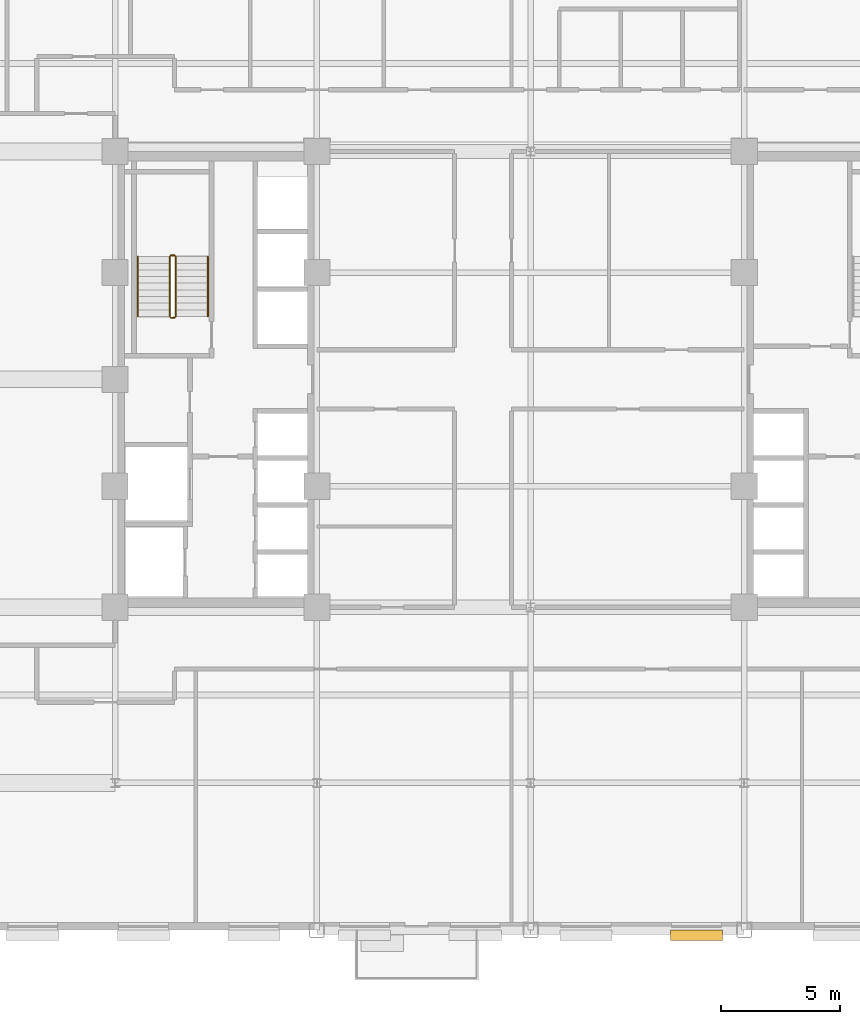
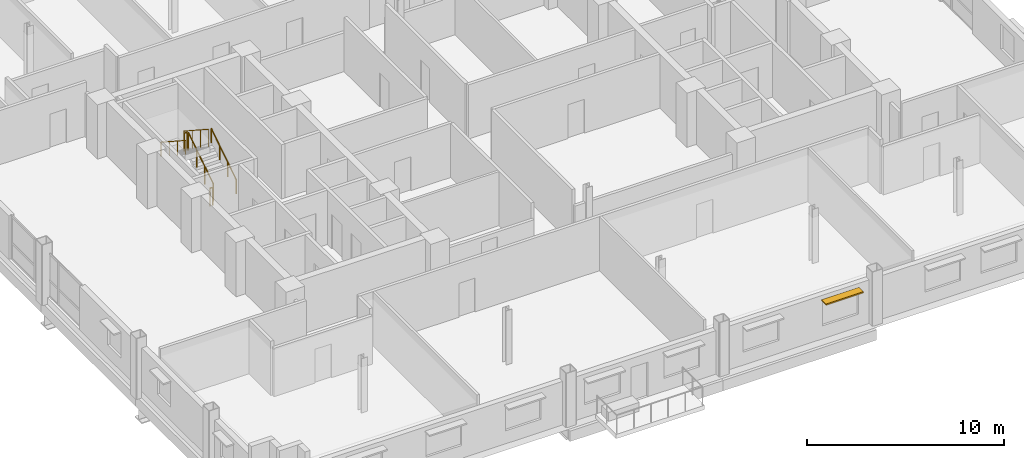
# One storey, part 14 of 16: 6 railings, 1 shading device.
"""IFC4 building model written with IfcOpenShell, lengths in metres."""

from ifc_helpers import new_model, si_unit, direction, frame, origin, origin_2d, place, context, subcontext, project, spatial, rectangle, circle, extrude, source, transform, mapped, material, type_object, type_shapes, element, save


model = new_model("IFC4")

# Units and contexts
model_context = context("Model", 3, precision=1e-05, world=origin(), true_north=direction((0.0, 1.0)))
body_context = subcontext(model_context, "Body", "Model", "MODEL_VIEW")
ifc_project = project(units=[si_unit("LENGTHUNIT", "METRE"), si_unit("AREAUNIT", "SQUARE_METRE"), si_unit("VOLUMEUNIT", "CUBIC_METRE"), si_unit("PLANEANGLEUNIT", "RADIAN"), si_unit("MASSUNIT", "GRAM", prefix="KILO")], contexts=[model_context])

# Site, building, storey
site_placement = place(None, origin())
site = spatial("IfcSite", under=ifc_project, at=site_placement, CompositionType="ELEMENT")
building_placement = place(site_placement, origin())
building = spatial("IfcBuilding", under=site, at=building_placement, Name="Nuvemarco Arch Tower", CompositionType="ELEMENT")
storey_placement = place(building_placement, frame((0.0, 0.0, 116.550048828125)))
storey = spatial("IfcBuildingStorey", under=building, at=storey_placement, Name="L30", CompositionType="ELEMENT", Elevation=116.550048828125)

# Railings
ifc_material_1 = material(Name="Brushed stainless steel handrail", Category="steel")
railing_type_1 = type_object("IfcRailingType", Name="RL-HANDRAIL-900", PredefinedType="HANDRAIL", material=ifc_material_1)
railing_1_placement = place(storey_placement, frame((-13.590087890625, 2.64990234375, 0.182373046875)))
element("IfcRailing", 1, at=railing_1_placement, inside=storey, type_object=railing_type_1, Name="L30 ST-1 stair handrail 1", PredefinedType="HANDRAIL", context=body_context, shape_type="SweptSolid", body=[
    extrude(circle(Radius=0.02392578125, at=origin_2d()), frame((0.0, 0.0, 0.8759765625), z_axis=(0.0, 0.837749427056, 0.546054848405), x_axis=(-1.0, 0.0, 0.0)), (0.0, 0.0, 1.0), 3.008056640625),
    extrude(circle(Radius=0.02099609375, at=origin_2d()), origin(), (0.0, 0.0, 1.0), 0.851806640625),
    extrude(circle(Radius=0.02099609375, at=origin_2d()), frame((0.0, 0.840087890625, 0.547607421875)), (0.0, 0.0, 1.0), 0.851806640625),
    extrude(circle(Radius=0.02099609375, at=origin_2d()), frame((0.0, 1.679931640625, 1.094970703125)), (0.0, 0.0, 1.0), 0.851806640625),
    extrude(circle(Radius=0.02099609375, at=origin_2d()), frame((0.0, 2.52001953125, 1.642578125)), (0.0, 0.0, 1.0), 0.851806640625),
])
railing_2_placement = place(storey_placement, frame((-16.550048828125, 5.169921875, 2.007568359375)))
element("IfcRailing", 2, at=railing_2_placement, inside=storey, type_object=railing_type_1, Name="L30 ST-1 stair handrail 2", PredefinedType="HANDRAIL", context=body_context, shape_type="SweptSolid", body=[
    extrude(circle(Radius=0.02392578125, at=origin_2d()), frame((0.0, 0.0, 0.8759765625), z_axis=(0.0, -0.837786554691, 0.545997883492), x_axis=(1.0, 0.0, 0.0)), (0.0, 0.0, 1.0), 3.008056640625),
    extrude(circle(Radius=0.02099609375, at=origin_2d()), origin(), (0.0, 0.0, 1.0), 0.851806640625),
    extrude(circle(Radius=0.02099609375, at=origin_2d()), frame((0.0, -0.840087890625, 0.54736328125)), (0.0, 0.0, 1.0), 0.851806640625),
    extrude(circle(Radius=0.02099609375, at=origin_2d()), frame((0.0, -1.679931640625, 1.094970703125)), (0.0, 0.0, 1.0), 0.851806640625),
    extrude(circle(Radius=0.02099609375, at=origin_2d()), frame((0.0, -2.52001953125, 1.642333984375)), (0.0, 0.0, 1.0), 0.851806640625),
])
ifc_material_2 = material(Name="Painted balustrade steel S355", Category="steel")
railing_type_2 = type_object("IfcRailingType", Name="RL-STAIR-GUARD", PredefinedType="GUARDRAIL", material=ifc_material_2)
railing_3_placement = place(storey_placement, frame((-14.93994140625, 2.64990234375, 0.182373046875)))
element("IfcRailing", 3, at=railing_3_placement, inside=storey, type_object=railing_type_2, Name="L30 ST-1 stair guard 1", PredefinedType="GUARDRAIL", context=body_context, shape_type="SweptSolid", body=[
    extrude(circle(Radius=0.02392578125, at=origin_2d()), frame((0.0, 0.0, 1.09619140625), z_axis=(0.0, 0.837749427056, 0.546054848405), x_axis=(-1.0, 0.0, 0.0)), (0.0, 0.0, 1.0), 3.008056640625),
    extrude(circle(Radius=0.02099609375, at=origin_2d()), origin(), (0.0, 0.0, 1.0), 1.072021484375),
    extrude(circle(Radius=0.02099609375, at=origin_2d()), frame((0.0, 0.840087890625, 0.547607421875)), (0.0, 0.0, 1.0), 1.072021484375),
    extrude(circle(Radius=0.02099609375, at=origin_2d()), frame((0.0, 1.679931640625, 1.094970703125)), (0.0, 0.0, 1.0), 1.072021484375),
    extrude(circle(Radius=0.02099609375, at=origin_2d()), frame((0.0, 2.52001953125, 1.642578125)), (0.0, 0.0, 1.0), 1.072021484375),
])
railing_4_placement = place(storey_placement, frame((-14.989990234375, 5.219970703125, 1.824951171875)))
element("IfcRailing", 4, at=railing_4_placement, inside=storey, type_object=railing_type_2, Name="L30 ST-1 stair guard 2", PredefinedType="GUARDRAIL", context=body_context, shape_type="SweptSolid", body=[
    extrude(circle(Radius=0.02392578125, at=origin_2d()), frame((0.0, 0.0, 1.09619140625), z_axis=(-1.0, 0.0, 0.0), x_axis=(0.0, -1.0, 0.0)), (0.0, 0.0, 1.0), 0.159912109375),
    extrude(circle(Radius=0.02099609375, at=origin_2d()), origin(), (0.0, 0.0, 1.0), 1.072021484375),
    extrude(circle(Radius=0.02099609375, at=origin_2d()), frame((-0.159912109375, 0.0, 0.0)), (0.0, 0.0, 1.0), 1.072021484375),
])
railing_5_placement = place(storey_placement, frame((-15.199951171875, 5.169921875, 2.007568359375)))
element("IfcRailing", 5, at=railing_5_placement, inside=storey, type_object=railing_type_2, Name="L30 ST-1 stair guard 3", PredefinedType="GUARDRAIL", context=body_context, shape_type="SweptSolid", body=[
    extrude(circle(Radius=0.02392578125, at=origin_2d()), frame((0.0, 0.0, 1.09619140625), z_axis=(0.0, -0.837786554691, 0.545997883492), x_axis=(1.0, 0.0, 0.0)), (0.0, 0.0, 1.0), 3.008056640625),
    extrude(circle(Radius=0.02099609375, at=origin_2d()), origin(), (0.0, 0.0, 1.0), 1.072021484375),
    extrude(circle(Radius=0.02099609375, at=origin_2d()), frame((0.0, -0.840087890625, 0.54736328125)), (0.0, 0.0, 1.0), 1.072021484375),
    extrude(circle(Radius=0.02099609375, at=origin_2d()), frame((0.0, -1.679931640625, 1.094970703125)), (0.0, 0.0, 1.0), 1.072021484375),
    extrude(circle(Radius=0.02099609375, at=origin_2d()), frame((0.0, -2.52001953125, 1.642333984375)), (0.0, 0.0, 1.0), 1.072021484375),
])
railing_6_placement = place(storey_placement, frame((-14.989990234375, 2.60009765625, 0.0)))
element("IfcRailing", 6, at=railing_6_placement, inside=storey, type_object=railing_type_2, Name="L30 ST-1 stair guard 4", PredefinedType="GUARDRAIL", context=body_context, shape_type="SweptSolid", body=[
    extrude(circle(Radius=0.02392578125, at=origin_2d()), frame((0.0, 0.0, 1.09619140625), z_axis=(-1.0, 0.0, 0.0), x_axis=(0.0, -1.0, 0.0)), (0.0, 0.0, 1.0), 0.159912109375),
    extrude(circle(Radius=0.02099609375, at=origin_2d()), origin(), (0.0, 0.0, 1.0), 1.072021484375),
    extrude(circle(Radius=0.02099609375, at=origin_2d()), frame((-0.159912109375, 0.0, 0.0)), (0.0, 0.0, 1.0), 1.072021484375),
])

# Shading device
ifc_material_3 = material(Name="Anodised aluminium 6063-T6", Category="aluminium")
shading_device_type = type_object("IfcShadingDeviceType", Name="SHD-BRISE-SOLEIL", PredefinedType="USERDEFINED", material=ifc_material_3)
shared_shape = source(origin(), body_context, "Body", "SweptSolid", [
    extrude(rectangle(XDim=2.199951171875, YDim=0.449951171875, at=origin_2d()), origin(), (0.0, 0.0, 1.0), 0.080078125),
])
type_shapes(shading_device_type, [shared_shape])
shading_device_placement = place(storey_placement, frame((6.989990234375, -23.4150390625, 2.364990234375), z_axis=(0.0, 0.0, 1.0), x_axis=(1.0, 0.0, 0.0)))
element("IfcShadingDevice", 7, at=shading_device_placement, inside=storey, type_object=shading_device_type, Name="L30 horizontal brise-soleil sunshade", ObjectType="SUNSHADE", PredefinedType="USERDEFINED", context=body_context, shape_type="MappedRepresentation", body=[
    mapped(shared_shape, transform((0.0, 0.0, 0.0), scale=1.0)),
])

save(model, "model.ifc")
